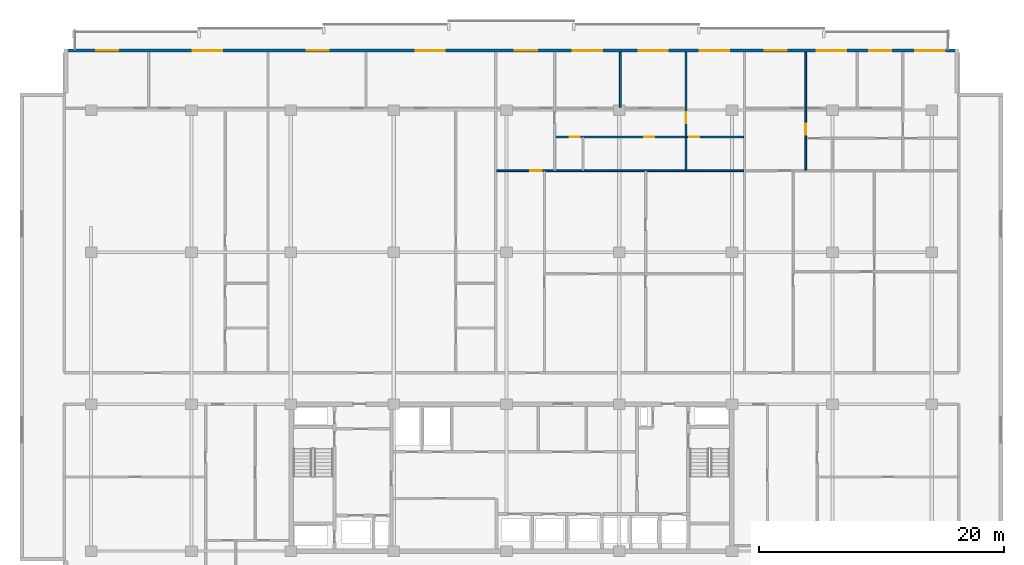
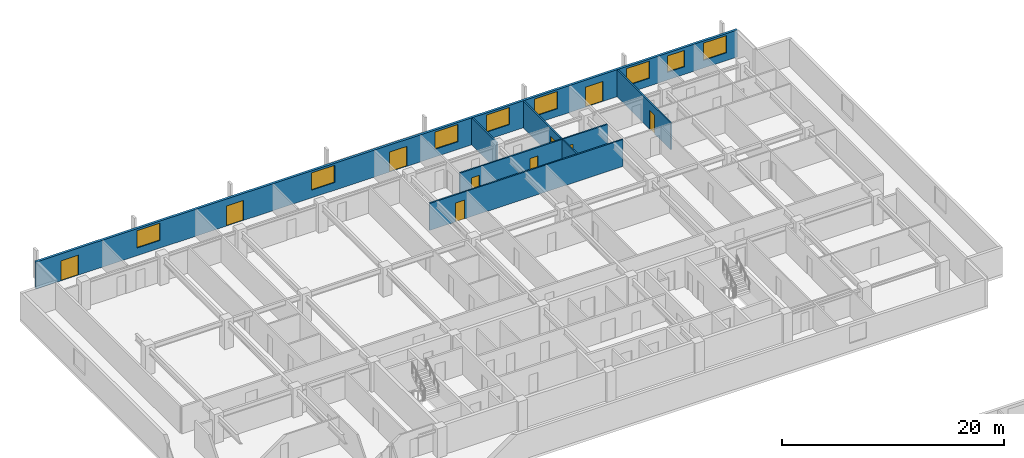
# One storey, part 15 of 22: 10 doors, 8 windows, 7 walls, 18 openings.
"""IFC4 building model written with IfcOpenShell, lengths in metres."""

import ifcopenshell
import ifcopenshell.guid

model = None  # the IFC model being written
_history = None  # IfcOwnerHistory: only IFC2X3 demands one
_inside = {}  # id of a spatial element -> (the spatial element, [elements in it])
_under = {}  # id of a project, library or spatial element -> (it, [spatial elements below it])
_declared = {}  # id of a project -> (the project, [libraries it declares])
_typed = {}  # id of a type object -> (the type object, [elements of that type])
_made_of = {}  # id of a material, layer set ... -> (it, [elements and type objects made of it])


def new_model(schema):
    """Start an empty IFC model of exactly this schema.

    Asked for "IFC4X3", IfcOpenShell would pick the latest addendum, in which some entities
    have other attributes; the version numbers below select the first issue.
    IFC2X3 requires an IfcOwnerHistory on every rooted entity: one is made here for all.
    """
    global model, _history
    if schema == "IFC4X3":
        model = ifcopenshell.file(schema_version=(4, 3, 0, 0))
    else:
        model = ifcopenshell.file(schema=schema)
    _inside.clear()
    _under.clear()
    _declared.clear()
    _typed.clear()
    _made_of.clear()
    _history = None
    if model.schema == "IFC2X3":
        org = make("IfcOrganization", Name="unknown")
        user = make(
            "IfcPersonAndOrganization",
            ThePerson=make("IfcPerson", FamilyName="unknown"),
            TheOrganization=org,
        )
        app = make(
            "IfcApplication",
            ApplicationDeveloper=org,
            Version="unknown",
            ApplicationFullName="unknown",
            ApplicationIdentifier="unknown",
        )
        _history = make(
            "IfcOwnerHistory",
            OwningUser=user,
            OwningApplication=app,
            ChangeAction="ADDED",
            CreationDate=0,
        )
    return model


def make(cls, **values):
    """One entity of the class cls with the attributes given. An attribute that is None is left unset."""
    return model.create_entity(
        cls, **{name: value for name, value in values.items() if value is not None}
    )


def rooted(cls, **values):
    """An entity with a GlobalId (a new one), such as an element, a storey or a relation."""
    return make(cls, GlobalId=ifcopenshell.guid.new(), OwnerHistory=_history, **values)


def si_unit(unit_type, name, prefix=None):
    """IfcSIUnit, for example si_unit("LENGTHUNIT", "METRE", prefix="MILLI")."""
    return make("IfcSIUnit", UnitType=unit_type, Prefix=prefix, Name=name)


def assignment(units):
    """IfcUnitAssignment: the units of a project."""
    return None if units is None else make("IfcUnitAssignment", Units=units)


def point(xyz):
    """IfcCartesianPoint."""
    return None if xyz is None else make("IfcCartesianPoint", Coordinates=xyz)


def direction(xyz):
    """IfcDirection."""
    return None if xyz is None else make("IfcDirection", DirectionRatios=xyz)


def frame(location, z_axis=None, x_axis=None):
    """IfcAxis2Placement3D, a coordinate frame: its origin and axes. An axis left out is left unset."""
    return make(
        "IfcAxis2Placement3D",
        Location=point(location),
        Axis=direction(z_axis),
        RefDirection=direction(x_axis),
    )


def frame_2d(location, x_axis=None):
    """IfcAxis2Placement2D, a coordinate frame in the plane: its origin and x axis."""
    return make(
        "IfcAxis2Placement2D", Location=point(location), RefDirection=direction(x_axis)
    )


def origin():
    """The frame at (0, 0, 0) with its axes left unset."""
    return frame((0.0, 0.0, 0.0))


def place(relative_to, where):
    """IfcLocalPlacement: puts the frame where relative to a parent placement (None: the world)."""
    return make(
        "IfcLocalPlacement", PlacementRelTo=relative_to, RelativePlacement=where
    )


def context(
    kind, dimensions, precision=None, world=None, true_north=None, identifier=None
):
    """IfcGeometricRepresentationContext, for example the 3D "Model" context."""
    return make(
        "IfcGeometricRepresentationContext",
        ContextIdentifier=identifier,
        ContextType=kind,
        CoordinateSpaceDimension=dimensions,
        Precision=precision,
        WorldCoordinateSystem=world,
        TrueNorth=true_north,
    )


def subcontext(parent, identifier, kind, view, scale=None):
    """IfcGeometricRepresentationSubContext, for example "Body" below "Model"."""
    return make(
        "IfcGeometricRepresentationSubContext",
        ContextIdentifier=identifier,
        ContextType=kind,
        ParentContext=parent,
        TargetScale=scale,
        TargetView=view,
    )


def project(units=None, contexts=None):
    """IfcProject with its units and contexts."""
    return rooted(
        "IfcProject",
        Name="project",
        RepresentationContexts=contexts,
        UnitsInContext=assignment(units),
    )


def spatial(cls, under=None, at=None, **own):
    """A site, building, storey or space (cls), placed at a placement, below another one or the project."""
    s = rooted(cls, ObjectPlacement=at, **own)
    if under is not None:
        _under.setdefault(under.id(), (under, []))[1].append(s)
    return s


def profile(cls, at=None, kind="AREA", **sizes):
    """A parametric profile (cls). Its sizes go by their IFC names, for example OverallWidth=200.0."""
    return make(cls, ProfileType=kind, Position=at, **sizes)


def rectangle(**sizes):
    """IfcRectangleProfileDef."""
    return profile("IfcRectangleProfileDef", **sizes)


def extrude(swept, where, along, depth):
    """IfcExtrudedAreaSolid: the profile swept, set in the frame where, extruded along a direction by depth."""
    return make(
        "IfcExtrudedAreaSolid",
        SweptArea=swept,
        Position=where,
        ExtrudedDirection=direction(along),
        Depth=depth,
    )


def shape(context_of_items, identifier, shape_type, items):
    """IfcShapeRepresentation: the items that make up one representation, for example the "Body"."""
    return make(
        "IfcShapeRepresentation",
        ContextOfItems=context_of_items,
        RepresentationIdentifier=identifier,
        RepresentationType=shape_type,
        Items=items,
    )


def material(Name=None, Category=None):
    """IfcMaterial."""
    return make("IfcMaterial", Name=Name, Category=Category)


def layer(
    of_material, thickness, ventilated=None, Name=None, Category=None, Priority=None
):
    """IfcMaterialLayer: one layer of a wall or slab, of a material (None: an air gap)."""
    return make(
        "IfcMaterialLayer",
        Material=of_material,
        LayerThickness=thickness,
        IsVentilated=ventilated,
        Name=Name,
        Category=Category,
        Priority=Priority,
    )


def layer_set(layers, Name=None):
    """IfcMaterialLayerSet."""
    return make("IfcMaterialLayerSet", MaterialLayers=layers, LayerSetName=Name)


def made_of(thing, what):
    """Note that an element or type object is made of a material, layer set ...; save() writes the relation."""
    if what is not None:
        _made_of.setdefault(what.id(), (what, []))[1].append(thing)
    return thing


def type_object(cls, material=None, **own):
    """A type object (cls), such as IfcWallType, which elements share."""
    return made_of(rooted(cls, **own), material)


def element(
    cls,
    number,
    at=None,
    inside=None,
    cuts=None,
    type_object=None,
    material=None,
    context=None,
    identifier="Body",
    shape_type=None,
    held_by="IfcProductDefinitionShape",
    body=None,
    shapes=None,
    **own,
):
    """One element of the class cls, such as IfcWall. Its Tag is "e" and its number.

    at: its placement. inside: the storey or other place that contains it. cuts: it is an
    opening in that element (IfcRelVoidsElement). A single representation is given by context,
    identifier, shape_type and body (its items); several are given by shapes. held_by: the class
    of the entity that holds the representations. save() writes the other relations.
    """
    e = rooted(cls, Tag="e%d" % number, ObjectPlacement=at, **own)
    if body is not None:
        shapes = [shape(context, identifier, shape_type, body)]
    if shapes is not None:
        e.Representation = make(held_by, Representations=shapes)
    if inside is not None:
        _inside.setdefault(inside.id(), (inside, []))[1].append(e)
    if cuts is not None:
        rooted(
            "IfcRelVoidsElement", RelatingBuildingElement=cuts, RelatedOpeningElement=e
        )
    if type_object is not None:
        _typed.setdefault(type_object.id(), (type_object, []))[1].append(e)
    return made_of(e, material)


def fill(opening, filler):
    """IfcRelFillsElement: the door or window that sits in an opening."""
    return rooted(
        "IfcRelFillsElement",
        RelatingOpeningElement=opening,
        RelatedBuildingElement=filler,
    )


def aggregate(whole, parts):
    """IfcRelAggregates: a whole, such as a stair, and the parts it consists of."""
    return rooted("IfcRelAggregates", RelatingObject=whole, RelatedObjects=parts)


def save(model, path):
    """Write the relations noted so far, then the file.

    IfcRelAggregates (storeys below a building ...), IfcRelContainedInSpatialStructure (elements
    in a storey), IfcRelDefinesByType, IfcRelAssociatesMaterial and IfcRelDeclares: one each for
    every whole, place, type object, material and project.
    """
    for whole, parts in _under.values():
        aggregate(whole, parts)
    for where, things in _inside.values():
        rooted(
            "IfcRelContainedInSpatialStructure",
            RelatedElements=things,
            RelatingStructure=where,
        )
    for kind, things in _typed.values():
        rooted("IfcRelDefinesByType", RelatedObjects=things, RelatingType=kind)
    for what, things in _made_of.values():
        rooted("IfcRelAssociatesMaterial", RelatedObjects=things, RelatingMaterial=what)
    for by, libraries in _declared.values():
        rooted("IfcRelDeclares", RelatingContext=by, RelatedDefinitions=libraries)
    model.write(path)


model = new_model("IFC4")

# Units and contexts
model_context = context("Model", 3, precision=1e-05, world=origin(), true_north=direction((0.0, 1.0)))
body_context = subcontext(model_context, "Body", "Model", "MODEL_VIEW")
ifc_project = project(units=[si_unit("LENGTHUNIT", "METRE"), si_unit("AREAUNIT", "SQUARE_METRE"), si_unit("VOLUMEUNIT", "CUBIC_METRE"), si_unit("PLANEANGLEUNIT", "RADIAN"), si_unit("MASSUNIT", "GRAM", prefix="KILO")], contexts=[model_context])

# Site, building, storey
site_placement = place(None, origin())
site = spatial("IfcSite", under=ifc_project, at=site_placement, CompositionType="ELEMENT")
building_placement = place(site_placement, origin())
building = spatial("IfcBuilding", under=site, at=building_placement, Name="Korimba Cascade Residences", CompositionType="ELEMENT")
storey_placement = place(building_placement, frame((0.0, 0.0, 126.300048828125)))
storey = spatial("IfcBuildingStorey", under=building, at=storey_placement, Name="L36", CompositionType="ELEMENT", Elevation=126.300048828125)

# Wall, openings, doors, windows
ifc_material_1 = material(Name="Precast concrete C40/50", Category="concrete")
ifc_layer_1 = layer(ifc_material_1, 0.25)
ifc_layer_set_1 = layer_set([ifc_layer_1], Name="Precast concrete C40/50")
wall_type_1 = type_object("IfcWallType", Name="EW-LOG-250", PredefinedType="STANDARD", material=ifc_layer_set_1)
wall_1_placement = place(storey_placement, frame((130.60009765625, 96.050048828125, 0.0), z_axis=(0.0, 0.0, 1.0), x_axis=(-1.0, 0.0, 0.0)))
wall_1 = element("IfcWall", 1, at=wall_1_placement, inside=storey, type_object=wall_type_1, Name="L36 T1 Perimeter Stone Wall E06", PredefinedType="STANDARD", context=body_context, shape_type="SweptSolid", body=[
    extrude(rectangle(XDim=73.0, YDim=0.25, at=frame_2d((36.5, 0.0))), origin(), (0.0, 0.0, 1.0), 2.969970703125),
])
opening_1_placement = place(wall_1_placement, frame((68.5908203125, 0.0, 0.0)))
opening_1 = element("IfcOpeningElement", 2, at=opening_1_placement, cuts=wall_1, Name="Opening D-LG1", PredefinedType="OPENING", context=body_context, shape_type="SweptSolid", body=[
    extrude(rectangle(XDim=1.800048828125, YDim=2.199951171875, at=frame_2d((0.89990234375, 1.10009765625))), frame((0.0, 0.135009765625, 0.0), z_axis=(0.0, -1.0, 0.0), x_axis=(1.0, 0.0, 0.0)), (0.0, 0.0, 1.0), 0.27001953125),
])
opening_2_placement = place(wall_1_placement, frame((60.091796875, 0.0, 0.85009765625)))
opening_2 = element("IfcOpeningElement", 3, at=opening_2_placement, cuts=wall_1, Name="Opening W-01", PredefinedType="OPENING", context=body_context, shape_type="SweptSolid", body=[
    extrude(rectangle(XDim=2.39990234375, YDim=1.89990234375, at=frame_2d((1.199951171875, 0.949951171875))), frame((0.0, 0.135009765625, 0.0), z_axis=(0.0, -1.0, 0.0), x_axis=(1.0, 0.0, 0.0)), (0.0, 0.0, 1.0), 0.27001953125),
])
opening_3_placement = place(wall_1_placement, frame((51.405029296875, 0.0, 0.0)))
opening_3 = element("IfcOpeningElement", 4, at=opening_3_placement, cuts=wall_1, Name="Opening D-LG1", PredefinedType="OPENING", context=body_context, shape_type="SweptSolid", body=[
    extrude(rectangle(XDim=1.800048828125, YDim=2.199951171875, at=frame_2d((0.89990234375, 1.10009765625))), frame((0.0, 0.135009765625, 0.0), z_axis=(0.0, -1.0, 0.0), x_axis=(1.0, 0.0, 0.0)), (0.0, 0.0, 1.0), 0.27001953125),
])
opening_4_placement = place(wall_1_placement, frame((41.925048828125, 0.0, 0.85009765625)))
opening_4 = element("IfcOpeningElement", 5, at=opening_4_placement, cuts=wall_1, Name="Opening W-01", PredefinedType="OPENING", context=body_context, shape_type="SweptSolid", body=[
    extrude(rectangle(XDim=2.39990234375, YDim=1.89990234375, at=frame_2d((1.199951171875, 0.949951171875))), frame((0.0, 0.135009765625, 0.0), z_axis=(0.0, -1.0, 0.0), x_axis=(1.0, 0.0, 0.0)), (0.0, 0.0, 1.0), 0.27001953125),
])
opening_5_placement = place(wall_1_placement, frame((29.090576171875, 0.0, 0.85009765625)))
opening_5 = element("IfcOpeningElement", 6, at=opening_5_placement, cuts=wall_1, Name="Opening W-01", PredefinedType="OPENING", context=body_context, shape_type="SweptSolid", body=[
    extrude(rectangle(XDim=2.39990234375, YDim=1.89990234375, at=frame_2d((1.199951171875, 0.949951171875))), frame((0.0, 0.135009765625, 0.0), z_axis=(0.0, -1.0, 0.0), x_axis=(1.0, 0.0, 0.0)), (0.0, 0.0, 1.0), 0.27001953125),
])
opening_6_placement = place(wall_1_placement, frame((23.726806640625, 0.0, 0.85009765625)))
opening_6 = element("IfcOpeningElement", 7, at=opening_6_placement, cuts=wall_1, Name="Opening W-01", PredefinedType="OPENING", context=body_context, shape_type="SweptSolid", body=[
    extrude(rectangle(XDim=2.39990234375, YDim=1.89990234375, at=frame_2d((1.199951171875, 0.949951171875))), frame((0.0, 0.135009765625, 0.0), z_axis=(0.0, -1.0, 0.0), x_axis=(1.0, 0.0, 0.0)), (0.0, 0.0, 1.0), 0.27001953125),
])
opening_7_placement = place(wall_1_placement, frame((34.407470703125, 0.0, 0.0)))
opening_7 = element("IfcOpeningElement", 8, at=opening_7_placement, cuts=wall_1, Name="Opening D-LG1", PredefinedType="OPENING", context=body_context, shape_type="SweptSolid", body=[
    extrude(rectangle(XDim=1.800048828125, YDim=2.199951171875, at=frame_2d((0.89990234375, 1.10009765625))), frame((0.0, 0.135009765625, 0.0), z_axis=(0.0, -1.0, 0.0), x_axis=(1.0, 0.0, 0.0)), (0.0, 0.0, 1.0), 0.27001953125),
])
opening_8_placement = place(wall_1_placement, frame((18.719970703125, 0.0, 0.85009765625)))
opening_8 = element("IfcOpeningElement", 9, at=opening_8_placement, cuts=wall_1, Name="Opening W-01", PredefinedType="OPENING", context=body_context, shape_type="SweptSolid", body=[
    extrude(rectangle(XDim=2.39990234375, YDim=1.89990234375, at=frame_2d((1.199951171875, 0.949951171875))), frame((0.0, 0.135009765625, 0.0), z_axis=(0.0, -1.0, 0.0), x_axis=(1.0, 0.0, 0.0)), (0.0, 0.0, 1.0), 0.27001953125),
])
opening_9_placement = place(wall_1_placement, frame((9.168701171875, 0.0, 0.85009765625)))
opening_9 = element("IfcOpeningElement", 10, at=opening_9_placement, cuts=wall_1, Name="Opening W-01", PredefinedType="OPENING", context=body_context, shape_type="SweptSolid", body=[
    extrude(rectangle(XDim=2.39990234375, YDim=1.89990234375, at=frame_2d((1.199951171875, 0.949951171875))), frame((0.0, 0.135009765625, 0.0), z_axis=(0.0, -1.0, 0.0), x_axis=(1.0, 0.0, 0.0)), (0.0, 0.0, 1.0), 0.27001953125),
])
opening_10_placement = place(wall_1_placement, frame((5.50634765625, 0.0, 0.85009765625)))
opening_10 = element("IfcOpeningElement", 11, at=opening_10_placement, cuts=wall_1, Name="Opening W-02", PredefinedType="OPENING", context=body_context, shape_type="SweptSolid", body=[
    extrude(rectangle(XDim=1.800048828125, YDim=1.800048828125, at=frame_2d((0.89990234375, 0.89990234375))), frame((0.0, 0.135009765625, 0.0), z_axis=(0.0, -1.0, 0.0), x_axis=(1.0, 0.0, 0.0)), (0.0, 0.0, 1.0), 0.27001953125),
])
opening_11_placement = place(wall_1_placement, frame((14.014892578125, 0.0, 0.0)))
opening_11 = element("IfcOpeningElement", 12, at=opening_11_placement, cuts=wall_1, Name="Opening D-LG1", PredefinedType="OPENING", context=body_context, shape_type="SweptSolid", body=[
    extrude(rectangle(XDim=1.800048828125, YDim=2.199951171875, at=frame_2d((0.89990234375, 1.10009765625))), frame((0.0, 0.135009765625, 0.0), z_axis=(0.0, -1.0, 0.0), x_axis=(1.0, 0.0, 0.0)), (0.0, 0.0, 1.0), 0.27001953125),
])
opening_12_placement = place(wall_1_placement, frame((1.135009765625, 0.0, 0.85009765625)))
opening_12 = element("IfcOpeningElement", 13, at=opening_12_placement, cuts=wall_1, Name="Opening W-01", PredefinedType="OPENING", context=body_context, shape_type="SweptSolid", body=[
    extrude(rectangle(XDim=2.39990234375, YDim=1.89990234375, at=frame_2d((1.199951171875, 0.949951171875))), frame((0.0, 0.135009765625, 0.0), z_axis=(0.0, -1.0, 0.0), x_axis=(1.0, 0.0, 0.0)), (0.0, 0.0, 1.0), 0.27001953125),
])
ifc_material_2 = material(Name="Glazed Aluminium Loggia Sliding Door", Category="aluminium")
door_type_1 = type_object("IfcDoorType", Name="DR-EXT-LOG", OperationType="NOTDEFINED", PredefinedType="DOOR", material=ifc_material_2)
door_1_placement = place(opening_1_placement, origin())
door_1 = element("IfcDoor", 14, at=door_1_placement, inside=storey, type_object=door_type_1, Name="L36 T1 Loggia Sliding Door 3", OperationType="SLIDING_TO_LEFT", OverallHeight=2.199951171875, OverallWidth=1.800048828125, PredefinedType="DOOR", context=body_context, shape_type="SweptSolid", body=[
    extrude(rectangle(XDim=1.800048828125, YDim=2.199951171875, at=frame_2d((0.89990234375, 1.10009765625))), frame((0.0, 0.02490234375, 0.0), z_axis=(0.0, -1.0, 0.0), x_axis=(1.0, 0.0, 0.0)), (0.0, 0.0, 1.0), 0.050048828125),
])
fill(opening_1, door_1)
door_2_placement = place(opening_3_placement, origin())
door_2 = element("IfcDoor", 15, at=door_2_placement, inside=storey, type_object=door_type_1, Name="L36 T1 Loggia Sliding Door 5", OperationType="SLIDING_TO_LEFT", OverallHeight=2.199951171875, OverallWidth=1.800048828125, PredefinedType="DOOR", context=body_context, shape_type="SweptSolid", body=[
    extrude(rectangle(XDim=1.800048828125, YDim=2.199951171875, at=frame_2d((0.89990234375, 1.10009765625))), frame((0.0, 0.02490234375, 0.0), z_axis=(0.0, -1.0, 0.0), x_axis=(1.0, 0.0, 0.0)), (0.0, 0.0, 1.0), 0.050048828125),
])
fill(opening_3, door_2)
door_3_placement = place(opening_7_placement, origin())
door_3 = element("IfcDoor", 16, at=door_3_placement, inside=storey, type_object=door_type_1, Name="L36 T1 Loggia Sliding Door 9", OperationType="SLIDING_TO_LEFT", OverallHeight=2.199951171875, OverallWidth=1.800048828125, PredefinedType="DOOR", context=body_context, shape_type="SweptSolid", body=[
    extrude(rectangle(XDim=1.800048828125, YDim=2.199951171875, at=frame_2d((0.89990234375, 1.10009765625))), frame((0.0, 0.02490234375, 0.0), z_axis=(0.0, -1.0, 0.0), x_axis=(1.0, 0.0, 0.0)), (0.0, 0.0, 1.0), 0.050048828125),
])
fill(opening_7, door_3)
door_4_placement = place(opening_11_placement, origin())
door_4 = element("IfcDoor", 17, at=door_4_placement, inside=storey, type_object=door_type_1, Name="L36 T1 Loggia Sliding Door 13", OperationType="SLIDING_TO_LEFT", OverallHeight=2.199951171875, OverallWidth=1.800048828125, PredefinedType="DOOR", context=body_context, shape_type="SweptSolid", body=[
    extrude(rectangle(XDim=1.800048828125, YDim=2.199951171875, at=frame_2d((0.89990234375, 1.10009765625))), frame((0.0, 0.02490234375, 0.0), z_axis=(0.0, -1.0, 0.0), x_axis=(1.0, 0.0, 0.0)), (0.0, 0.0, 1.0), 0.050048828125),
])
fill(opening_11, door_4)
ifc_material_3 = material(Name="Double-Glazed Aluminium Window", Category="aluminium")
window_type_1 = type_object("IfcWindowType", Name="WIN-BED-1800", PartitioningType="SINGLE_PANEL", PredefinedType="WINDOW", material=ifc_material_3)
window_1_placement = place(opening_10_placement, origin())
window_1 = element("IfcWindow", 18, at=window_1_placement, inside=storey, type_object=window_type_1, Name="L36 T1 North Facade Window 12", OverallHeight=1.800048828125, OverallWidth=1.800048828125, PartitioningType="SINGLE_PANEL", PredefinedType="WINDOW", context=body_context, shape_type="SweptSolid", body=[
    extrude(rectangle(XDim=1.800048828125, YDim=1.800048828125, at=frame_2d((0.89990234375, 0.89990234375))), frame((0.0, 0.030029296875, 0.0), z_axis=(0.0, -1.0, 0.0), x_axis=(1.0, 0.0, 0.0)), (0.0, 0.0, 1.0), 0.06005859375),
])
fill(opening_10, window_1)
window_type_2 = type_object("IfcWindowType", Name="WIN-RES-2400", PartitioningType="DOUBLE_PANEL_VERTICAL", PredefinedType="WINDOW", material=ifc_material_3)
window_2_placement = place(opening_2_placement, origin())
window_2 = element("IfcWindow", 19, at=window_2_placement, inside=storey, type_object=window_type_2, Name="L36 T1 North Facade Window 4", OverallHeight=1.89990234375, OverallWidth=2.39990234375, PartitioningType="DOUBLE_PANEL_VERTICAL", PredefinedType="WINDOW", context=body_context, shape_type="SweptSolid", body=[
    extrude(rectangle(XDim=2.39990234375, YDim=1.89990234375, at=frame_2d((1.199951171875, 0.949951171875))), frame((0.0, 0.030029296875, 0.0), z_axis=(0.0, -1.0, 0.0), x_axis=(1.0, 0.0, 0.0)), (0.0, 0.0, 1.0), 0.06005859375),
])
fill(opening_2, window_2)
window_3_placement = place(opening_4_placement, origin())
window_3 = element("IfcWindow", 20, at=window_3_placement, inside=storey, type_object=window_type_2, Name="L36 T1 North Facade Window 6", OverallHeight=1.89990234375, OverallWidth=2.39990234375, PartitioningType="DOUBLE_PANEL_VERTICAL", PredefinedType="WINDOW", context=body_context, shape_type="SweptSolid", body=[
    extrude(rectangle(XDim=2.39990234375, YDim=1.89990234375, at=frame_2d((1.199951171875, 0.949951171875))), frame((0.0, 0.030029296875, 0.0), z_axis=(0.0, -1.0, 0.0), x_axis=(1.0, 0.0, 0.0)), (0.0, 0.0, 1.0), 0.06005859375),
])
fill(opening_4, window_3)
window_4_placement = place(opening_5_placement, origin())
window_4 = element("IfcWindow", 21, at=window_4_placement, inside=storey, type_object=window_type_2, Name="L36 T1 North Facade Window 7", OverallHeight=1.89990234375, OverallWidth=2.39990234375, PartitioningType="DOUBLE_PANEL_VERTICAL", PredefinedType="WINDOW", context=body_context, shape_type="SweptSolid", body=[
    extrude(rectangle(XDim=2.39990234375, YDim=1.89990234375, at=frame_2d((1.199951171875, 0.949951171875))), frame((0.0, 0.030029296875, 0.0), z_axis=(0.0, -1.0, 0.0), x_axis=(1.0, 0.0, 0.0)), (0.0, 0.0, 1.0), 0.06005859375),
])
fill(opening_5, window_4)
window_5_placement = place(opening_6_placement, origin())
window_5 = element("IfcWindow", 22, at=window_5_placement, inside=storey, type_object=window_type_2, Name="L36 T1 North Facade Window 8", OverallHeight=1.89990234375, OverallWidth=2.39990234375, PartitioningType="DOUBLE_PANEL_VERTICAL", PredefinedType="WINDOW", context=body_context, shape_type="SweptSolid", body=[
    extrude(rectangle(XDim=2.39990234375, YDim=1.89990234375, at=frame_2d((1.199951171875, 0.949951171875))), frame((0.0, 0.030029296875, 0.0), z_axis=(0.0, -1.0, 0.0), x_axis=(1.0, 0.0, 0.0)), (0.0, 0.0, 1.0), 0.06005859375),
])
fill(opening_6, window_5)
window_6_placement = place(opening_8_placement, origin())
window_6 = element("IfcWindow", 23, at=window_6_placement, inside=storey, type_object=window_type_2, Name="L36 T1 North Facade Window 10", OverallHeight=1.89990234375, OverallWidth=2.39990234375, PartitioningType="DOUBLE_PANEL_VERTICAL", PredefinedType="WINDOW", context=body_context, shape_type="SweptSolid", body=[
    extrude(rectangle(XDim=2.39990234375, YDim=1.89990234375, at=frame_2d((1.199951171875, 0.949951171875))), frame((0.0, 0.030029296875, 0.0), z_axis=(0.0, -1.0, 0.0), x_axis=(1.0, 0.0, 0.0)), (0.0, 0.0, 1.0), 0.06005859375),
])
fill(opening_8, window_6)
window_7_placement = place(opening_9_placement, origin())
window_7 = element("IfcWindow", 24, at=window_7_placement, inside=storey, type_object=window_type_2, Name="L36 T1 North Facade Window 11", OverallHeight=1.89990234375, OverallWidth=2.39990234375, PartitioningType="DOUBLE_PANEL_VERTICAL", PredefinedType="WINDOW", context=body_context, shape_type="SweptSolid", body=[
    extrude(rectangle(XDim=2.39990234375, YDim=1.89990234375, at=frame_2d((1.199951171875, 0.949951171875))), frame((0.0, 0.030029296875, 0.0), z_axis=(0.0, -1.0, 0.0), x_axis=(1.0, 0.0, 0.0)), (0.0, 0.0, 1.0), 0.06005859375),
])
fill(opening_9, window_7)
window_8_placement = place(opening_12_placement, origin())
window_8 = element("IfcWindow", 25, at=window_8_placement, inside=storey, type_object=window_type_2, Name="L36 T1 North Facade Window 14", OverallHeight=1.89990234375, OverallWidth=2.39990234375, PartitioningType="DOUBLE_PANEL_VERTICAL", PredefinedType="WINDOW", context=body_context, shape_type="SweptSolid", body=[
    extrude(rectangle(XDim=2.39990234375, YDim=1.89990234375, at=frame_2d((1.199951171875, 0.949951171875))), frame((0.0, 0.030029296875, 0.0), z_axis=(0.0, -1.0, 0.0), x_axis=(1.0, 0.0, 0.0)), (0.0, 0.0, 1.0), 0.06005859375),
])
fill(opening_12, window_8)

# Walls
ifc_material_4 = material(Name="Insulated Acoustic Stud Partition", Category="gypsum")
ifc_layer_2 = layer(ifc_material_4, 0.14990234375)
ifc_layer_set_2 = layer_set([ifc_layer_2], Name="Insulated Acoustic Stud Partition")
wall_type_2 = type_object("IfcWallType", Name="WAL-PART-150", PredefinedType="PARTITIONING", material=ifc_layer_set_2)
wall_2_placement = place(storey_placement, frame((102.9912109375, 91.429931640625, 0.0), z_axis=(0.0, 0.0, 1.0), x_axis=(0.0, 1.0, 0.0)))
element("IfcWall", 26, at=wall_2_placement, inside=storey, type_object=wall_type_2, Name="L36 Partition Wall WAL-L36-T1-U03-VB3", PredefinedType="PARTITIONING", context=body_context, shape_type="SweptSolid", body=[
    extrude(rectangle(XDim=4.469970703125, YDim=0.14990234375, at=frame_2d((2.23486328125, 0.0))), origin(), (0.0, 0.0, 1.0), 2.969970703125),
])
wall_3_placement = place(storey_placement, frame((108.35498046875, 86.2900390625, 0.0), z_axis=(0.0, 0.0, 1.0), x_axis=(0.0, 1.0, 0.0)))
element("IfcWall", 27, at=wall_3_placement, inside=storey, type_object=wall_type_2, Name="L36 Partition Wall WAL-L36-T1-U03-VBATH", PredefinedType="PARTITIONING", context=body_context, shape_type="SweptSolid", body=[
    extrude(rectangle(XDim=2.68994140625, YDim=0.14990234375, at=frame_2d((1.344970703125, 0.0))), origin(), (0.0, 0.0, 1.0), 2.969970703125),
])

# Wall, opening, door
wall_4_placement = place(storey_placement, frame((108.35498046875, 89.02001953125, 0.0), z_axis=(0.0, 0.0, 1.0), x_axis=(0.0, 1.0, 0.0)))
wall_4 = element("IfcWall", 28, at=wall_4_placement, inside=storey, type_object=wall_type_2, Name="L36 Partition Wall WAL-L36-T1-U03-V2FULL", PredefinedType="PARTITIONING", context=body_context, shape_type="SweptSolid", body=[
    extrude(rectangle(XDim=6.8798828125, YDim=0.14990234375, at=frame_2d((3.43994140625, 0.0))), origin(), (0.0, 0.0, 1.0), 2.969970703125),
])
opening_13_placement = place(wall_4_placement, frame((1.090087890625, 0.0, 0.0)))
opening_13 = element("IfcOpeningElement", 29, at=opening_13_placement, cuts=wall_4, Name="Opening D-IN1", PredefinedType="OPENING", context=body_context, shape_type="SweptSolid", body=[
    extrude(rectangle(XDim=0.919921875, YDim=2.080078125, at=frame_2d((0.4599609375, 1.0400390625))), frame((0.0, 0.0849609375, 0.0), z_axis=(0.0, -1.0, 0.0), x_axis=(1.0, 0.0, 0.0)), (0.0, 0.0, 1.0), 0.169921875),
])
ifc_material_5 = material(Name="Acoustic Timber Living Door", Category="wood")
door_type_2 = type_object("IfcDoorType", Name="DR-INT-920", OperationType="NOTDEFINED", PredefinedType="DOOR", material=ifc_material_5)
door_5_placement = place(opening_13_placement, origin())
door_5 = element("IfcDoor", 30, at=door_5_placement, inside=storey, type_object=door_type_2, Name="L36-T1-U03 Master Bedroom Door", OperationType="SINGLE_SWING_RIGHT", OverallHeight=2.080078125, OverallWidth=0.919921875, PredefinedType="DOOR", context=body_context, shape_type="SweptSolid", body=[
    extrude(rectangle(XDim=0.919921875, YDim=2.080078125, at=frame_2d((0.4599609375, 1.0400390625))), frame((0.0, 0.02490234375, 0.0), z_axis=(0.0, -1.0, 0.0), x_axis=(1.0, 0.0, 0.0)), (0.0, 0.0, 1.0), 0.050048828125),
])
fill(opening_13, door_5)

# Wall, openings, doors
wall_5_placement = place(storey_placement, frame((97.66748046875, 89.0, 0.0), z_axis=(0.0, 0.0, 1.0), x_axis=(1.0, 0.0, 0.0)))
wall_5 = element("IfcWall", 31, at=wall_5_placement, inside=storey, type_object=wall_type_2, Name="L36 Partition Wall WAL-L36-T1-U03-HWALL", PredefinedType="PARTITIONING", context=body_context, shape_type="SweptSolid", body=[
    extrude(rectangle(XDim=15.37744140625, YDim=0.14990234375, at=frame_2d((7.688720703125, 0.0))), origin(), (0.0, 0.0, 1.0), 2.969970703125),
])
opening_14_placement = place(wall_5_placement, frame((1.19091796875, 0.0, 0.0)))
opening_14 = element("IfcOpeningElement", 32, at=opening_14_placement, cuts=wall_5, Name="Opening D-BT1", PredefinedType="OPENING", context=body_context, shape_type="SweptSolid", body=[
    extrude(rectangle(XDim=0.840087890625, YDim=2.0400390625, at=frame_2d((0.419921875, 1.02001953125))), frame((0.0, 0.0849609375, 0.0), z_axis=(0.0, -1.0, 0.0), x_axis=(1.0, 0.0, 0.0)), (0.0, 0.0, 1.0), 0.169921875),
])
opening_15_placement = place(wall_5_placement, frame((7.268798828125, 0.0, 0.0)))
opening_15 = element("IfcOpeningElement", 33, at=opening_15_placement, cuts=wall_5, Name="Opening D-BT1", PredefinedType="OPENING", context=body_context, shape_type="SweptSolid", body=[
    extrude(rectangle(XDim=0.840087890625, YDim=2.0400390625, at=frame_2d((0.419921875, 1.02001953125))), frame((0.0, 0.0849609375, 0.0), z_axis=(0.0, -1.0, 0.0), x_axis=(1.0, 0.0, 0.0)), (0.0, 0.0, 1.0), 0.169921875),
])
opening_16_placement = place(wall_5_placement, frame((10.9375, 0.0, 0.0)))
opening_16 = element("IfcOpeningElement", 34, at=opening_16_placement, cuts=wall_5, Name="Opening D-BT1", PredefinedType="OPENING", context=body_context, shape_type="SweptSolid", body=[
    extrude(rectangle(XDim=0.840087890625, YDim=2.0400390625, at=frame_2d((0.419921875, 1.02001953125))), frame((0.0, 0.0849609375, 0.0), z_axis=(0.0, -1.0, 0.0), x_axis=(1.0, 0.0, 0.0)), (0.0, 0.0, 1.0), 0.169921875),
])
ifc_material_6 = material(Name="Moisture-Resistant Bathroom Timber Door", Category="wood")
door_type_3 = type_object("IfcDoorType", Name="DR-INT-850", OperationType="NOTDEFINED", PredefinedType="DOOR", material=ifc_material_6)
door_6_placement = place(opening_14_placement, origin())
door_6 = element("IfcDoor", 35, at=door_6_placement, inside=storey, type_object=door_type_3, Name="L36-T1-U03 Family Bathroom Door", OperationType="SINGLE_SWING_LEFT", OverallHeight=2.0400390625, OverallWidth=0.840087890625, PredefinedType="DOOR", context=body_context, shape_type="SweptSolid", body=[
    extrude(rectangle(XDim=0.840087890625, YDim=2.0400390625, at=frame_2d((0.419921875, 1.02001953125))), frame((0.0, 0.02490234375, 0.0), z_axis=(0.0, -1.0, 0.0), x_axis=(1.0, 0.0, 0.0)), (0.0, 0.0, 1.0), 0.050048828125),
])
fill(opening_14, door_6)
door_7_placement = place(opening_15_placement, origin())
door_7 = element("IfcDoor", 36, at=door_7_placement, inside=storey, type_object=door_type_3, Name="L36-T1-U03 Dressing Room Door", OperationType="SINGLE_SWING_RIGHT", OverallHeight=2.0400390625, OverallWidth=0.840087890625, PredefinedType="DOOR", context=body_context, shape_type="SweptSolid", body=[
    extrude(rectangle(XDim=0.840087890625, YDim=2.0400390625, at=frame_2d((0.419921875, 1.02001953125))), frame((0.0, 0.02490234375, 0.0), z_axis=(0.0, -1.0, 0.0), x_axis=(1.0, 0.0, 0.0)), (0.0, 0.0, 1.0), 0.050048828125),
])
fill(opening_15, door_7)
door_8_placement = place(opening_16_placement, origin())
door_8 = element("IfcDoor", 37, at=door_8_placement, inside=storey, type_object=door_type_3, Name="L36-T1-U03 En-Suite Door", OperationType="SINGLE_SWING_LEFT", OverallHeight=2.0400390625, OverallWidth=0.840087890625, PredefinedType="DOOR", context=body_context, shape_type="SweptSolid", body=[
    extrude(rectangle(XDim=0.840087890625, YDim=2.0400390625, at=frame_2d((0.419921875, 1.02001953125))), frame((0.0, 0.02490234375, 0.0), z_axis=(0.0, -1.0, 0.0), x_axis=(1.0, 0.0, 0.0)), (0.0, 0.0, 1.0), 0.050048828125),
])
fill(opening_16, door_8)

# Wall, opening, door
wall_6_placement = place(storey_placement, frame((92.91748046875, 86.25, 0.0), z_axis=(0.0, 0.0, 1.0), x_axis=(1.0, 0.0, 0.0)))
wall_6 = element("IfcWall", 38, at=wall_6_placement, inside=storey, type_object=wall_type_2, Name="L36 Partition Wall WAL-L36-T1-U03-MW", PredefinedType="PARTITIONING", context=body_context, shape_type="SweptSolid", body=[
    extrude(rectangle(XDim=20.12744140625, YDim=0.14990234375, at=frame_2d((10.063720703125, 0.0))), origin(), (0.0, 0.0, 1.0), 2.969970703125),
])
opening_17_placement = place(wall_6_placement, frame((2.719970703125, 0.0, 0.0)))
opening_17 = element("IfcOpeningElement", 39, at=opening_17_placement, cuts=wall_6, Name="Opening D-IN1", PredefinedType="OPENING", context=body_context, shape_type="SweptSolid", body=[
    extrude(rectangle(XDim=0.919921875, YDim=2.080078125, at=frame_2d((0.4599609375, 1.0400390625))), frame((0.0, 0.0849609375, 0.0), z_axis=(0.0, -1.0, 0.0), x_axis=(1.0, 0.0, 0.0)), (0.0, 0.0, 1.0), 0.169921875),
])
door_9_placement = place(opening_17_placement, origin())
door_9 = element("IfcDoor", 40, at=door_9_placement, inside=storey, type_object=door_type_2, Name="L36-T1-U03 Kitchen Door", OperationType="SINGLE_SWING_RIGHT", OverallHeight=2.080078125, OverallWidth=0.919921875, PredefinedType="DOOR", context=body_context, shape_type="SweptSolid", body=[
    extrude(rectangle(XDim=0.919921875, YDim=2.080078125, at=frame_2d((0.4599609375, 1.0400390625))), frame((0.0, 0.02490234375, 0.0), z_axis=(0.0, -1.0, 0.0), x_axis=(1.0, 0.0, 0.0)), (0.0, 0.0, 1.0), 0.050048828125),
])
fill(opening_17, door_9)

wall_7_placement = place(storey_placement, frame((118.125, 86.2900390625, 0.0), z_axis=(0.0, 0.0, 1.0), x_axis=(0.0, 1.0, 0.0)))
wall_7 = element("IfcWall", 41, at=wall_7_placement, inside=storey, type_object=wall_type_2, Name="L36 Partition Wall WAL-L36-T1-U04-V1", PredefinedType="PARTITIONING", context=body_context, shape_type="SweptSolid", body=[
    extrude(rectangle(XDim=9.60986328125, YDim=0.14990234375, at=frame_2d((4.804931640625, 0.0))), origin(), (0.0, 0.0, 1.0), 2.969970703125),
])
opening_18_placement = place(wall_7_placement, frame((2.8798828125, 0.0, 0.0)))
opening_18 = element("IfcOpeningElement", 42, at=opening_18_placement, cuts=wall_7, Name="Opening D-IN1", PredefinedType="OPENING", context=body_context, shape_type="SweptSolid", body=[
    extrude(rectangle(XDim=0.919921875, YDim=2.080078125, at=frame_2d((0.4599609375, 1.0400390625))), frame((0.0, 0.0849609375, 0.0), z_axis=(0.0, -1.0, 0.0), x_axis=(1.0, 0.0, 0.0)), (0.0, 0.0, 1.0), 0.169921875),
])
door_10_placement = place(opening_18_placement, origin())
door_10 = element("IfcDoor", 43, at=door_10_placement, inside=storey, type_object=door_type_2, Name="L36-T1-U04 Hallway Door", OperationType="SINGLE_SWING_RIGHT", OverallHeight=2.080078125, OverallWidth=0.919921875, PredefinedType="DOOR", context=body_context, shape_type="SweptSolid", body=[
    extrude(rectangle(XDim=0.919921875, YDim=2.080078125, at=frame_2d((0.4599609375, 1.0400390625))), frame((0.0, 0.02490234375, 0.0), z_axis=(0.0, -1.0, 0.0), x_axis=(1.0, 0.0, 0.0)), (0.0, 0.0, 1.0), 0.050048828125),
])
fill(opening_18, door_10)

save(model, "model.ifc")
